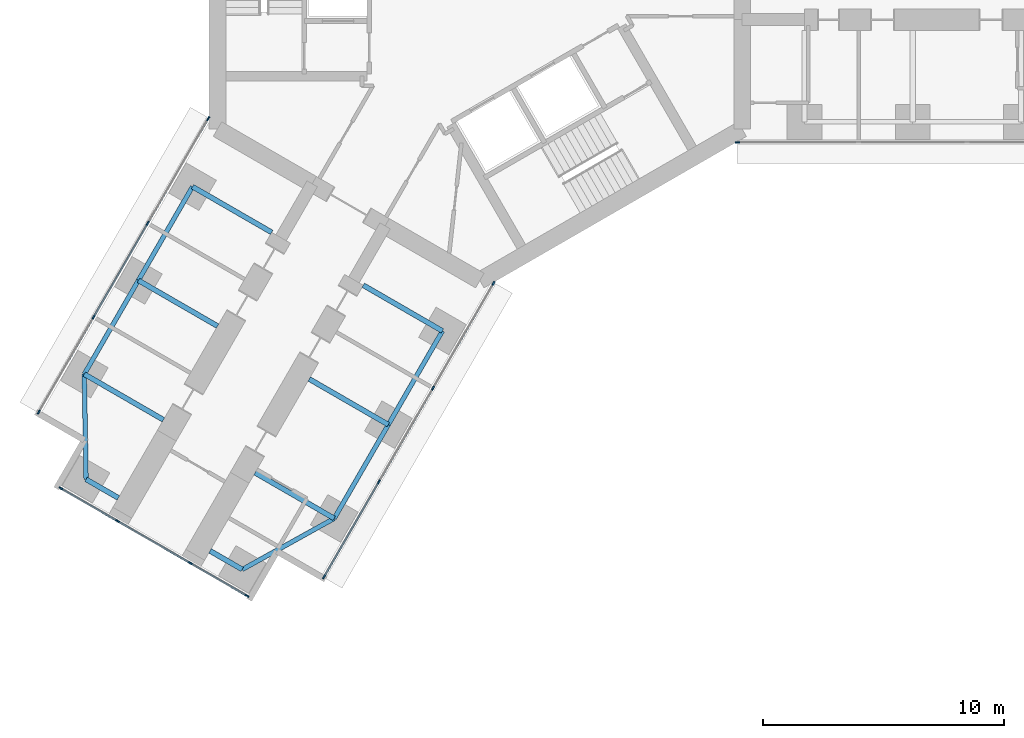
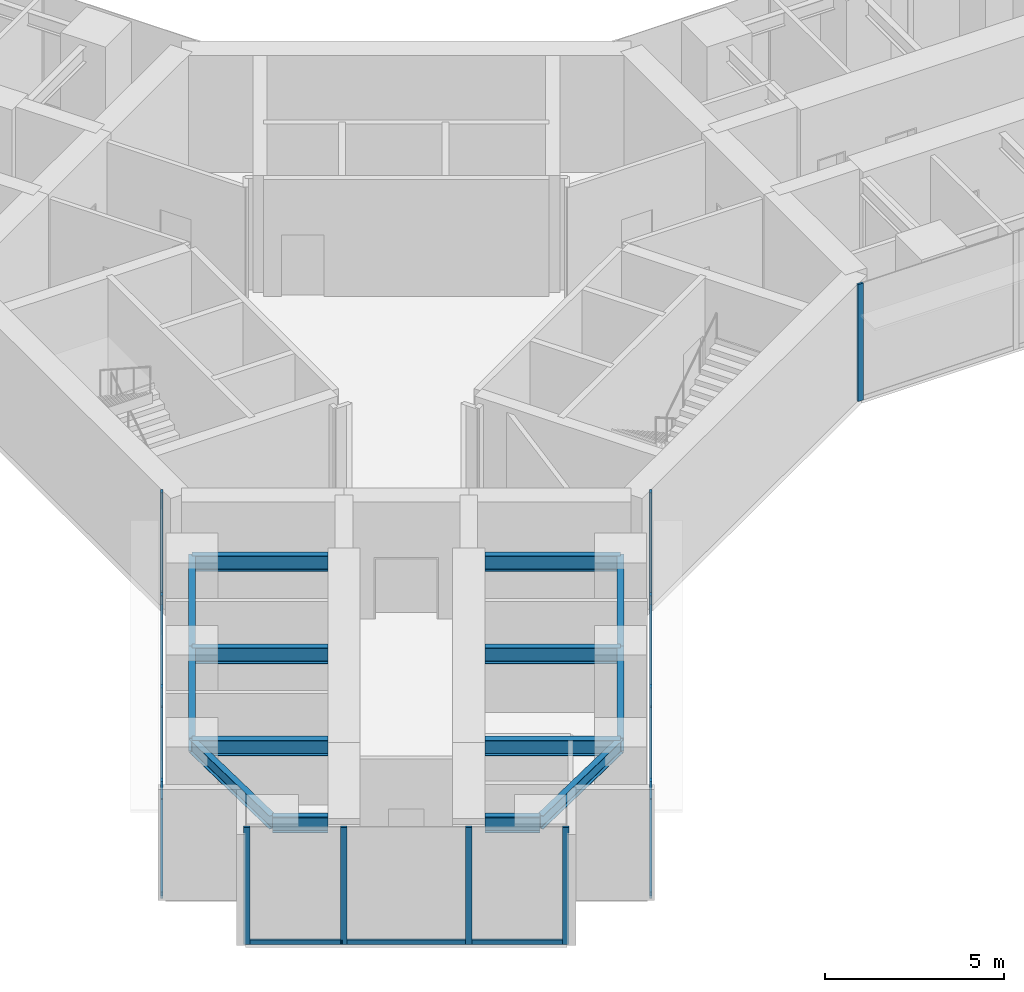
# One storey, part 2 of 24: 22 members, 14 beams, 4 elements without a shape of their own.
"""IFC4 building model written with IfcOpenShell, lengths in metres."""

from ifc_helpers import new_model, si_unit, direction, frame, origin, origin_2d, place, context, subcontext, project, spatial, rectangle, i_section, extrude, material, material_profile, profile_set, type_object, element, aggregate, save


model = new_model("IFC4")

# Units and contexts
model_context = context("Model", 3, precision=1e-05, world=origin(), true_north=direction((0.0, 1.0)))
body_context = subcontext(model_context, "Body", "Model", "MODEL_VIEW")
ifc_project = project(units=[si_unit("LENGTHUNIT", "METRE"), si_unit("AREAUNIT", "SQUARE_METRE"), si_unit("VOLUMEUNIT", "CUBIC_METRE"), si_unit("PLANEANGLEUNIT", "RADIAN"), si_unit("MASSUNIT", "GRAM", prefix="KILO")], contexts=[model_context])

# Site, building, storey
site_placement = place(None, origin())
site = spatial("IfcSite", under=ifc_project, at=site_placement, CompositionType="ELEMENT")
building_placement = place(site_placement, origin())
building = spatial("IfcBuilding", under=site, at=building_placement, Name="Upepo Twin Towers", CompositionType="ELEMENT")
storey_placement = place(building_placement, frame((0.0, 0.0, 52.5)))
storey = spatial("IfcBuildingStorey", under=building, at=storey_placement, Name="L12", CompositionType="ELEMENT", Elevation=52.5)

# Beams
ifc_material_1 = material(Name="Steel S355", Category="steel")
ifc_material_profile_1 = material_profile(ifc_material_1, i_section(OverallWidth=0.1904296875, OverallDepth=0.45703125, WebThickness=0.009033203125, FlangeThickness=0.014404296875, FilletRadius=0.01025390625, at=origin_2d()), Name="UB 457x191x74")
ifc_profile_set_1 = profile_set([ifc_material_profile_1], Name="Steel S355")
beam_type_1 = type_object("IfcBeamType", Name="Beam UB 457x191x74", PredefinedType="BEAM", material=ifc_profile_set_1)
beam_1_placement = place(storey_placement, frame((-1.553955078125, -14.69140625, 3.571533203125), z_axis=(-0.500013631625, -0.866017533419, 0.0), x_axis=(0.866017533419, -0.500013631625, 0.0)))
element("IfcBeam", 1, at=beam_1_placement, inside=storey, type_object=beam_type_1, Name="T1 edge beam CL 13.5-18.0", PredefinedType="BEAM", context=body_context, shape_type="SweptSolid", body=[
    extrude(i_section(OverallWidth=0.1904296875, OverallDepth=0.45703125, WebThickness=0.009033203125, FlangeThickness=0.014404296875, FilletRadius=0.01025390625, at=origin_2d()), origin(), (0.0, 0.0, 1.0), 4.499755859375),
])
beam_2_placement = place(storey_placement, frame((-3.803955078125, -18.58837890625, 3.571533203125), z_axis=(-0.499990139034, -0.866031096941, 0.0), x_axis=(0.866031096941, -0.499990139034, 0.0)))
element("IfcBeam", 2, at=beam_2_placement, inside=storey, type_object=beam_type_1, Name="T1 edge beam CL 18.0-22.5", PredefinedType="BEAM", context=body_context, shape_type="SweptSolid", body=[
    extrude(i_section(OverallWidth=0.1904296875, OverallDepth=0.45703125, WebThickness=0.009033203125, FlangeThickness=0.014404296875, FilletRadius=0.01025390625, at=origin_2d()), origin(), (0.0, 0.0, 1.0), 4.5),
])
beam_3_placement = place(storey_placement, frame((-6.053955078125, -22.485595703125, 3.571533203125), z_axis=(-0.874312600038, -0.485363242752, 0.0), x_axis=(0.485363242752, -0.874312600038, 0.0)))
element("IfcBeam", 3, at=beam_3_placement, inside=storey, type_object=beam_type_1, Name="T1 nose edge beam CL", PredefinedType="BEAM", context=body_context, shape_type="SweptSolid", body=[
    extrude(i_section(OverallWidth=0.1904296875, OverallDepth=0.45703125, WebThickness=0.009033203125, FlangeThickness=0.014404296875, FilletRadius=0.01025390625, at=origin_2d()), origin(), (0.0, 0.0, 1.0), 4.373046875),
])
beam_4_placement = place(storey_placement, frame((-11.946044921875, -8.69140625, 3.571533203125), z_axis=(-0.500013631625, -0.866017533419, 0.0), x_axis=(0.866017533419, -0.500013631625, 0.0)))
element("IfcBeam", 4, at=beam_4_placement, inside=storey, type_object=beam_type_1, Name="T1 edge beam CR 13.5-18.0", PredefinedType="BEAM", context=body_context, shape_type="SweptSolid", body=[
    extrude(i_section(OverallWidth=0.1904296875, OverallDepth=0.45703125, WebThickness=0.009033203125, FlangeThickness=0.014404296875, FilletRadius=0.01025390625, at=origin_2d()), origin(), (0.0, 0.0, 1.0), 4.499755859375),
])
beam_5_placement = place(storey_placement, frame((-14.196044921875, -12.58837890625, 3.571533203125), z_axis=(-0.499990139034, -0.866031096941, 0.0), x_axis=(0.866031096941, -0.499990139034, 0.0)))
element("IfcBeam", 5, at=beam_5_placement, inside=storey, type_object=beam_type_1, Name="T1 edge beam CR 18.0-22.5", PredefinedType="BEAM", context=body_context, shape_type="SweptSolid", body=[
    extrude(i_section(OverallWidth=0.1904296875, OverallDepth=0.45703125, WebThickness=0.009033203125, FlangeThickness=0.014404296875, FilletRadius=0.01025390625, at=origin_2d()), origin(), (0.0, 0.0, 1.0), 4.5),
])
beam_6_placement = place(storey_placement, frame((-16.446044921875, -16.485595703125, 3.571533203125), z_axis=(0.016803880528, -0.999858804832, 0.0), x_axis=(0.999858804832, 0.016803880528, 0.0)))
element("IfcBeam", 6, at=beam_6_placement, inside=storey, type_object=beam_type_1, Name="T1 nose edge beam CR", PredefinedType="BEAM", context=body_context, shape_type="SweptSolid", body=[
    extrude(i_section(OverallWidth=0.1904296875, OverallDepth=0.45703125, WebThickness=0.009033203125, FlangeThickness=0.014404296875, FilletRadius=0.01025390625, at=origin_2d()), origin(), (0.0, 0.0, 1.0), 4.373291015625),
])
ifc_material_2 = material(Name="Steel S355", Category="steel")
ifc_material_profile_2 = material_profile(ifc_material_2, i_section(OverallWidth=0.2119140625, OverallDepth=0.54443359375, WebThickness=0.0126953125, FlangeThickness=0.021240234375, FilletRadius=0.0126953125, at=origin_2d()), Name="UB 533x210x122")
ifc_profile_set_2 = profile_set([ifc_material_profile_2], Name="Steel S355")
beam_type_2 = type_object("IfcBeamType", Name="Beam UB 533x210x122", PredefinedType="BEAM", material=ifc_profile_set_2)
for number, where, z_axis, x_axis, name in (
    (7, (-9.87744140625, -24.608154296875, 3.52783203125), (-0.866043940782, 0.499967891604, 0.0), (-0.499967891604, -0.866043940782, 0.0), "T1 nose beam CL"),
    (8, (-16.37255859375, -20.858154296875, 3.52783203125), (0.866043940782, -0.499967891604, 0.0), (0.499967891604, 0.866043940782, 0.0), "T1 nose beam CR"),
):
    element("IfcBeam", number, at=place(storey_placement, frame(where, z_axis=z_axis, x_axis=x_axis)), inside=storey, type_object=beam_type_2, Name=name, PredefinedType="BEAM", context=body_context, shape_type="SweptSolid", body=[
        extrude(i_section(OverallWidth=0.2119140625, OverallDepth=0.54443359375, WebThickness=0.0126953125, FlangeThickness=0.021240234375, FilletRadius=0.0126953125, at=origin_2d()), origin(), (0.0, 0.0, 1.0), 1.5498046875),
    ])
ifc_material_3 = material(Name="Steel S355", Category="steel")
ifc_material_profile_3 = material_profile(ifc_material_3, i_section(OverallWidth=0.209228515625, OverallDepth=0.533203125, WebThickness=0.010009765625, FlangeThickness=0.015625, FilletRadius=0.0126953125, at=origin_2d()), Name="UB 533x210x92")
ifc_profile_set_3 = profile_set([ifc_material_profile_3], Name="Steel S355")
beam_type_3 = type_object("IfcBeamType", Name="Beam UB 533x210x92", PredefinedType="BEAM", material=ifc_profile_set_3)
beam_7_placement = place(storey_placement, frame((-1.553955078125, -14.69140625, 3.533447265625), z_axis=(-0.866000483506, 0.500043160704, 0.0), x_axis=(-0.500043160704, -0.866000483506, 0.0)))
element("IfcBeam", 9, at=beam_7_placement, inside=storey, type_object=beam_type_3, Name="T1 girder CL at 13.5", PredefinedType="BEAM", context=body_context, shape_type="SweptSolid", body=[
    extrude(i_section(OverallWidth=0.209228515625, OverallDepth=0.533203125, WebThickness=0.010009765625, FlangeThickness=0.015625, FilletRadius=0.0126953125, at=origin_2d()), origin(), (0.0, 0.0, 1.0), 3.800048828125),
])
for number, where, z_axis, x_axis, name in (
    (10, (-3.803955078125, -18.58837890625, 3.533447265625), (-0.866028304915, 0.499994975061, 0.0), (-0.499994975061, -0.866028304915, 0.0), "T1 girder CL at 18.0"),
    (11, (-6.053955078125, -22.485595703125, 3.533447265625), (-0.866028304915, 0.499994975061, 0.0), (-0.499994975061, -0.866028304915, 0.0), "T1 girder CL at 22.5"),
    (12, (-11.946044921875, -8.69140625, 3.533447265625), (0.866028304915, -0.499994975061, 0.0), (0.499994975061, 0.866028304915, 0.0), "T1 girder CR at 13.5"),
):
    element("IfcBeam", number, at=place(storey_placement, frame(where, z_axis=z_axis, x_axis=x_axis)), inside=storey, type_object=beam_type_3, Name=name, PredefinedType="BEAM", context=body_context, shape_type="SweptSolid", body=[
        extrude(i_section(OverallWidth=0.209228515625, OverallDepth=0.533203125, WebThickness=0.010009765625, FlangeThickness=0.015625, FilletRadius=0.0126953125, at=origin_2d()), origin(), (0.0, 0.0, 1.0), 3.7998046875),
    ])
beam_8_placement = place(storey_placement, frame((-14.196044921875, -12.58837890625, 3.533447265625), z_axis=(0.866000483506, -0.500043160704, 0.0), x_axis=(0.500043160704, 0.866000483506, 0.0)))
element("IfcBeam", 13, at=beam_8_placement, inside=storey, type_object=beam_type_3, Name="T1 girder CR at 18.0", PredefinedType="BEAM", context=body_context, shape_type="SweptSolid", body=[
    extrude(i_section(OverallWidth=0.209228515625, OverallDepth=0.533203125, WebThickness=0.010009765625, FlangeThickness=0.015625, FilletRadius=0.0126953125, at=origin_2d()), origin(), (0.0, 0.0, 1.0), 3.800048828125),
])
beam_9_placement = place(storey_placement, frame((-16.446044921875, -16.485595703125, 3.533447265625), z_axis=(0.866028304915, -0.499994975061, 0.0), x_axis=(0.499994975061, 0.866028304915, 0.0)))
element("IfcBeam", 14, at=beam_9_placement, inside=storey, type_object=beam_type_3, Name="T1 girder CR at 22.5", PredefinedType="BEAM", context=body_context, shape_type="SweptSolid", body=[
    extrude(i_section(OverallWidth=0.209228515625, OverallDepth=0.533203125, WebThickness=0.010009765625, FlangeThickness=0.015625, FilletRadius=0.0126953125, at=origin_2d()), origin(), (0.0, 0.0, 1.0), 3.7998046875),
])

# Curtain wall, member
ifc_material_4 = material(Name="Aluminium and fritted glass", Category="aluminium")
curtain_wall_type = type_object("IfcCurtainWallType", Name="Tower curtain wall TW1, fritted glass", PredefinedType="NOTDEFINED", material=ifc_material_4)
curtain_wall_1_placement = place(storey_placement, origin())
curtain_wall_1 = element("IfcCurtainWall", 15, at=curtain_wall_1_placement, inside=storey, type_object=curtain_wall_type, Name="T1 L12 wing A flank R curtain wall", PredefinedType="NOTDEFINED")
ifc_material_5 = material(Name="Aluminium mullion", Category="aluminium")
ifc_material_profile_4 = material_profile(ifc_material_5, rectangle(XDim=0.06494140625, YDim=0.179931640625, at=origin_2d()), Name="MULLION 65x180")
ifc_profile_set_4 = profile_set([ifc_material_profile_4], Name="Aluminium mullion")
member_type_1 = type_object("IfcMemberType", Name="Mullion 65x180 TW1", PredefinedType="MULLION", material=ifc_profile_set_4)
member_1_placement = place(storey_placement, frame((10.7197265625, -6.85009765625, 0.0), z_axis=(0.0, 0.0, 1.0), x_axis=(0.0, -1.0, 0.0)))
member_1 = element("IfcMember", 16, at=member_1_placement, type_object=member_type_1, Name="T1 L12 wing A flank R curtain wall mullion 4", PredefinedType="MULLION", context=body_context, shape_type="SweptSolid", body=[
    extrude(rectangle(XDim=0.06494140625, YDim=0.179931640625, at=origin_2d()), origin(), (0.0, 0.0, 1.0), 4.0),
])
aggregate(curtain_wall_1, [member_1])

# Curtain wall, members
curtain_wall_2_placement = place(storey_placement, origin())
curtain_wall_2 = element("IfcCurtainWall", 17, at=curtain_wall_2_placement, inside=storey, type_object=curtain_wall_type, Name="T1 L12 wing C flank L curtain wall", PredefinedType="NOTDEFINED")
member_2_placement = place(storey_placement, frame((0.572509765625, -12.70849609375, 0.0), z_axis=(0.0, 0.0, 1.0), x_axis=(0.866025389682, -0.500000024426, 0.0)))
member_2 = element("IfcMember", 18, at=member_2_placement, type_object=member_type_1, Name="T1 L12 wing C flank L curtain wall mullion 1", PredefinedType="MULLION", context=body_context, shape_type="SweptSolid", body=[
    extrude(rectangle(XDim=0.06494140625, YDim=0.179931640625, at=origin_2d()), origin(), (0.0, 0.0, 1.0), 4.0),
])
member_3_placement = place(storey_placement, frame((-1.942626953125, -17.06494140625, 0.0), z_axis=(0.0, 0.0, 1.0), x_axis=(0.866025389682, -0.500000024426, 0.0)))
member_3 = element("IfcMember", 19, at=member_3_placement, type_object=member_type_1, Name="T1 L12 wing C flank L curtain wall mullion 2", PredefinedType="MULLION", context=body_context, shape_type="SweptSolid", body=[
    extrude(rectangle(XDim=0.06494140625, YDim=0.179931640625, at=origin_2d()), origin(), (0.0, 0.0, 1.0), 4.0),
])
member_4_placement = place(storey_placement, frame((-4.192626953125, -20.9619140625, 0.0), z_axis=(0.0, 0.0, 1.0), x_axis=(0.866025389682, -0.500000024426, 0.0)))
member_4 = element("IfcMember", 20, at=member_4_placement, type_object=member_type_1, Name="T1 L12 wing C flank L curtain wall mullion 3", PredefinedType="MULLION", context=body_context, shape_type="SweptSolid", body=[
    extrude(rectangle(XDim=0.06494140625, YDim=0.179931640625, at=origin_2d()), origin(), (0.0, 0.0, 1.0), 4.0),
])
member_5_placement = place(storey_placement, frame((-6.4765625, -24.91748046875, 0.0), z_axis=(0.0, 0.0, 1.0), x_axis=(0.866025389682, -0.500000024426, 0.0)))
member_5 = element("IfcMember", 21, at=member_5_placement, type_object=member_type_1, Name="T1 L12 wing C flank L curtain wall mullion 4", PredefinedType="MULLION", context=body_context, shape_type="SweptSolid", body=[
    extrude(rectangle(XDim=0.06494140625, YDim=0.179931640625, at=origin_2d()), origin(), (0.0, 0.0, 1.0), 4.0),
])

curtain_wall_3_placement = place(storey_placement, origin())
curtain_wall_3 = element("IfcCurtainWall", 22, at=curtain_wall_3_placement, inside=storey, type_object=curtain_wall_type, Name="T1 L12 wing C flank R curtain wall", PredefinedType="NOTDEFINED")
member_6_placement = place(storey_placement, frame((-18.341064453125, -18.067626953125, 0.0), z_axis=(0.0, 0.0, 1.0), x_axis=(-0.866025389682, 0.500000024426, 0.0)))
member_6 = element("IfcMember", 23, at=member_6_placement, type_object=member_type_1, Name="T1 L12 wing C flank R curtain wall mullion 1", PredefinedType="MULLION", context=body_context, shape_type="SweptSolid", body=[
    extrude(rectangle(XDim=0.06494140625, YDim=0.179931640625, at=origin_2d()), origin(), (0.0, 0.0, 1.0), 4.0),
])
member_7_placement = place(storey_placement, frame((-16.057373046875, -14.112060546875, 0.0), z_axis=(0.0, 0.0, 1.0), x_axis=(-0.866025389682, 0.500000024426, 0.0)))
member_7 = element("IfcMember", 24, at=member_7_placement, type_object=member_type_1, Name="T1 L12 wing C flank R curtain wall mullion 2", PredefinedType="MULLION", context=body_context, shape_type="SweptSolid", body=[
    extrude(rectangle(XDim=0.06494140625, YDim=0.179931640625, at=origin_2d()), origin(), (0.0, 0.0, 1.0), 4.0),
])
member_8_placement = place(storey_placement, frame((-13.807373046875, -10.21484375, 0.0), z_axis=(0.0, 0.0, 1.0), x_axis=(-0.866025389682, 0.500000024426, 0.0)))
member_8 = element("IfcMember", 25, at=member_8_placement, type_object=member_type_1, Name="T1 L12 wing C flank R curtain wall mullion 3", PredefinedType="MULLION", context=body_context, shape_type="SweptSolid", body=[
    extrude(rectangle(XDim=0.06494140625, YDim=0.179931640625, at=origin_2d()), origin(), (0.0, 0.0, 1.0), 4.0),
])
member_9_placement = place(storey_placement, frame((-11.2919921875, -5.8583984375, 0.0), z_axis=(0.0, 0.0, 1.0), x_axis=(-0.866025389682, 0.500000024426, 0.0)))
member_9 = element("IfcMember", 26, at=member_9_placement, type_object=member_type_1, Name="T1 L12 wing C flank R curtain wall mullion 4", PredefinedType="MULLION", context=body_context, shape_type="SweptSolid", body=[
    extrude(rectangle(XDim=0.06494140625, YDim=0.179931640625, at=origin_2d()), origin(), (0.0, 0.0, 1.0), 4.0),
])

curtain_wall_4_placement = place(storey_placement, origin())
curtain_wall_4 = element("IfcCurtainWall", 27, at=curtain_wall_4_placement, inside=storey, type_object=curtain_wall_type, Name="T1 L12 wing C nose curtain wall", PredefinedType="NOTDEFINED")
member_10_placement = place(storey_placement, frame((-17.4189453125, -21.235595703125, 0.0), z_axis=(0.0, 0.0, 1.0), x_axis=(0.500000030502, 0.866025386174, 0.0)))
member_10 = element("IfcMember", 28, at=member_10_placement, type_object=member_type_1, Name="T1 L12 wing C nose curtain wall mullion 1", PredefinedType="MULLION", context=body_context, shape_type="SweptSolid", body=[
    extrude(rectangle(XDim=0.06494140625, YDim=0.179931640625, at=origin_2d()), origin(), (0.0, 0.0, 1.0), 4.0),
])
member_11_placement = place(storey_placement, frame((-15.0654296875, -22.59423828125, 0.0), z_axis=(0.0, 0.0, 1.0), x_axis=(0.500000030502, 0.866025386174, 0.0)))
member_11 = element("IfcMember", 29, at=member_11_placement, type_object=member_type_1, Name="T1 L12 wing C nose curtain wall mullion 2", PredefinedType="MULLION", context=body_context, shape_type="SweptSolid", body=[
    extrude(rectangle(XDim=0.06494140625, YDim=0.179931640625, at=origin_2d()), origin(), (0.0, 0.0, 1.0), 4.0),
])
member_12_placement = place(storey_placement, frame((-12.034423828125, -24.34423828125, 0.0), z_axis=(0.0, 0.0, 1.0), x_axis=(0.500000030502, 0.866025386174, 0.0)))
member_12 = element("IfcMember", 30, at=member_12_placement, type_object=member_type_1, Name="T1 L12 wing C nose curtain wall mullion 3", PredefinedType="MULLION", context=body_context, shape_type="SweptSolid", body=[
    extrude(rectangle(XDim=0.06494140625, YDim=0.179931640625, at=origin_2d()), origin(), (0.0, 0.0, 1.0), 4.0),
])
member_13_placement = place(storey_placement, frame((-9.68115234375, -25.703125, 0.0), z_axis=(0.0, 0.0, 1.0), x_axis=(0.500000030502, 0.866025386174, 0.0)))
member_13 = element("IfcMember", 31, at=member_13_placement, type_object=member_type_1, Name="T1 L12 wing C nose curtain wall mullion 4", PredefinedType="MULLION", context=body_context, shape_type="SweptSolid", body=[
    extrude(rectangle(XDim=0.06494140625, YDim=0.179931640625, at=origin_2d()), origin(), (0.0, 0.0, 1.0), 4.0),
])

# Member
ifc_material_6 = material(Name="Aluminium transom", Category="aluminium")
ifc_material_profile_5 = material_profile(ifc_material_6, rectangle(XDim=0.06494140625, YDim=0.14990234375, at=origin_2d()), Name="TRANSOM 65x150")
ifc_profile_set_5 = profile_set([ifc_material_profile_5], Name="Aluminium transom")
member_type_2 = type_object("IfcMemberType", Name="Transom 65x150 TW1", PredefinedType="USERDEFINED", material=ifc_profile_set_5)
member_14_placement = place(storey_placement, frame((0.55615234375, -12.736572265625, 0.074951171875), z_axis=(-0.499983492876, -0.866034933967, 0.0), x_axis=(0.866034933967, -0.499983492876, 0.0)))
member_14 = element("IfcMember", 32, at=member_14_placement, type_object=member_type_2, Name="T1 L12 wing C flank L curtain wall transom 1", ObjectType="TRANSOM", PredefinedType="USERDEFINED", context=body_context, shape_type="SweptSolid", body=[
    extrude(rectangle(XDim=0.06494140625, YDim=0.14990234375, at=origin_2d()), origin(), (0.0, 0.0, 1.0), 4.965576171875),
])

member_15_placement = place(storey_placement, frame((-1.958984375, -17.093017578125, 0.074951171875), z_axis=(-0.500005184116, -0.866022410713, 0.0), x_axis=(0.866022410713, -0.500005184116, 0.0)))
member_15 = element("IfcMember", 33, at=member_15_placement, type_object=member_type_2, Name="T1 L12 wing C flank L curtain wall transom 2", ObjectType="TRANSOM", PredefinedType="USERDEFINED", context=body_context, shape_type="SweptSolid", body=[
    extrude(rectangle(XDim=0.06494140625, YDim=0.14990234375, at=origin_2d()), origin(), (0.0, 0.0, 1.0), 4.43505859375),
])

member_16_placement = place(storey_placement, frame((-4.208984375, -20.990234375, 0.074951171875), z_axis=(-0.500005646842, -0.866022143554, 0.0), x_axis=(0.866022143554, -0.500005646842, 0.0)))
member_16 = element("IfcMember", 34, at=member_16_placement, type_object=member_type_2, Name="T1 L12 wing C flank L curtain wall transom 3", ObjectType="TRANSOM", PredefinedType="USERDEFINED", context=body_context, shape_type="SweptSolid", body=[
    extrude(rectangle(XDim=0.06494140625, YDim=0.14990234375, at=origin_2d()), origin(), (0.0, 0.0, 1.0), 4.50244140625),
])

aggregate(curtain_wall_2, [member_2, member_3, member_4, member_5, member_14, member_15, member_16])

member_17_placement = place(storey_placement, frame((-18.32470703125, -18.03955078125, 0.074951171875), z_axis=(0.499982167615, 0.866035699072, 0.0), x_axis=(-0.866035699072, 0.499982167615, 0.0)))
member_17 = element("IfcMember", 35, at=member_17_placement, type_object=member_type_2, Name="T1 L12 wing C flank R curtain wall transom 1", ObjectType="TRANSOM", PredefinedType="USERDEFINED", context=body_context, shape_type="SweptSolid", body=[
    extrude(rectangle(XDim=0.06494140625, YDim=0.14990234375, at=origin_2d()), origin(), (0.0, 0.0, 1.0), 4.502685546875),
])

member_18_placement = place(storey_placement, frame((-16.041015625, -14.083984375, 0.074951171875), z_axis=(0.500005184116, 0.866022410713, 0.0), x_axis=(-0.866022410713, 0.500005184116, 0.0)))
member_18 = element("IfcMember", 36, at=member_18_placement, type_object=member_type_2, Name="T1 L12 wing C flank R curtain wall transom 2", ObjectType="TRANSOM", PredefinedType="USERDEFINED", context=body_context, shape_type="SweptSolid", body=[
    extrude(rectangle(XDim=0.06494140625, YDim=0.14990234375, at=origin_2d()), origin(), (0.0, 0.0, 1.0), 4.43505859375),
])

member_19_placement = place(storey_placement, frame((-13.791015625, -10.186767578125, 0.074951171875), z_axis=(0.50000478328, 0.866022642139, 0.0), x_axis=(-0.866022642139, 0.50000478328, 0.0)))
member_19 = element("IfcMember", 37, at=member_19_placement, type_object=member_type_2, Name="T1 L12 wing C flank R curtain wall transom 3", ObjectType="TRANSOM", PredefinedType="USERDEFINED", context=body_context, shape_type="SweptSolid", body=[
    extrude(rectangle(XDim=0.06494140625, YDim=0.14990234375, at=origin_2d()), origin(), (0.0, 0.0, 1.0), 4.96533203125),
])

aggregate(curtain_wall_3, [member_6, member_7, member_8, member_9, member_17, member_18, member_19])

member_20_placement = place(storey_placement, frame((-17.390869140625, -21.251708984375, 0.074951171875), z_axis=(0.865997053448, -0.500049101008, 0.0), x_axis=(0.500049101008, 0.865997053448, 0.0)))
member_20 = element("IfcMember", 38, at=member_20_placement, type_object=member_type_2, Name="T1 L12 wing C nose curtain wall transom 1", ObjectType="TRANSOM", PredefinedType="USERDEFINED", context=body_context, shape_type="SweptSolid", body=[
    extrude(rectangle(XDim=0.06494140625, YDim=0.14990234375, at=origin_2d()), origin(), (0.0, 0.0, 1.0), 2.652587890625),
])

member_21_placement = place(storey_placement, frame((-15.037353515625, -22.610595703125, 0.074951171875), z_axis=(0.866025804792, -0.499999305434, 0.0), x_axis=(0.499999305434, 0.866025804792, 0.0)))
member_21 = element("IfcMember", 39, at=member_21_placement, type_object=member_type_2, Name="T1 L12 wing C nose curtain wall transom 2", ObjectType="TRANSOM", PredefinedType="USERDEFINED", context=body_context, shape_type="SweptSolid", body=[
    extrude(rectangle(XDim=0.06494140625, YDim=0.14990234375, at=origin_2d()), origin(), (0.0, 0.0, 1.0), 3.43505859375),
])

member_22_placement = place(storey_placement, frame((-12.00634765625, -24.360595703125, 0.074951171875), z_axis=(0.866036909293, -0.499980071345, 0.0), x_axis=(0.499980071345, 0.866036909293, 0.0)))
member_22 = element("IfcMember", 40, at=member_22_placement, type_object=member_type_2, Name="T1 L12 wing C nose curtain wall transom 3", ObjectType="TRANSOM", PredefinedType="USERDEFINED", context=body_context, shape_type="SweptSolid", body=[
    extrude(rectangle(XDim=0.06494140625, YDim=0.14990234375, at=origin_2d()), origin(), (0.0, 0.0, 1.0), 2.65234375),
])

aggregate(curtain_wall_4, [member_10, member_11, member_12, member_13, member_20, member_21, member_22])

save(model, "model.ifc")
